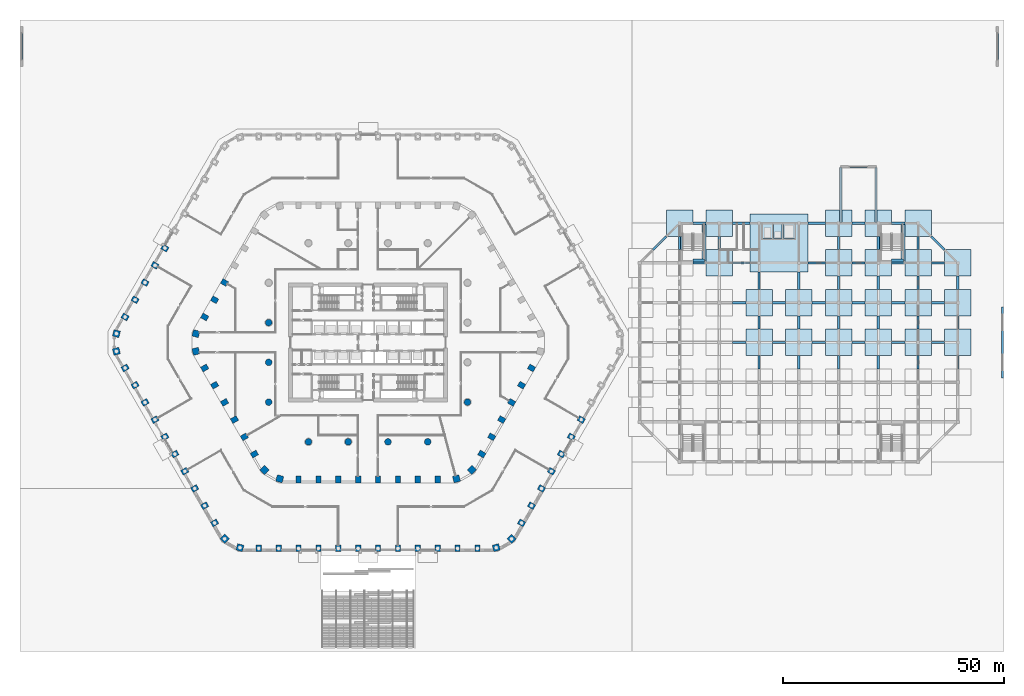
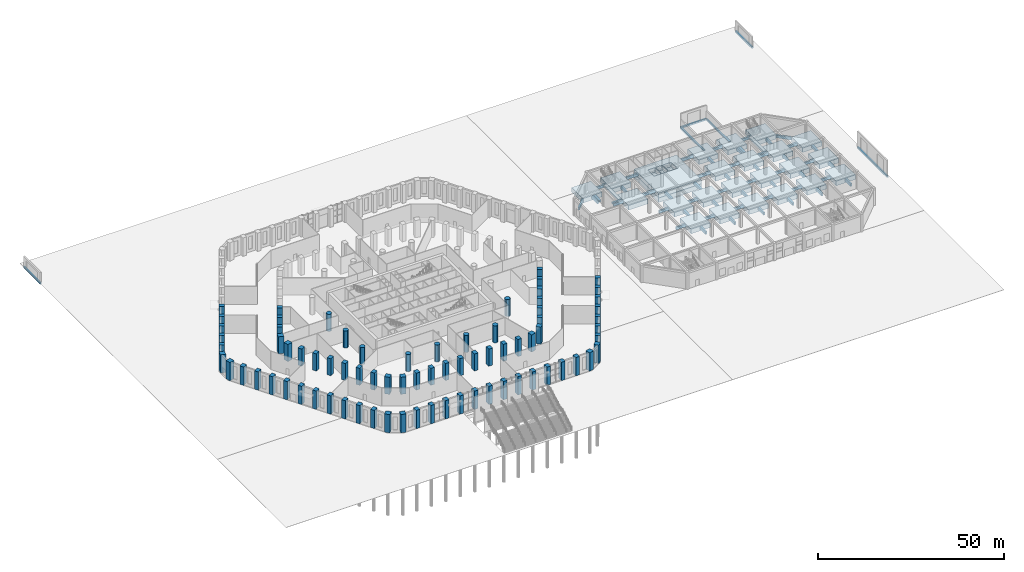
# One storey, part 2 of 44: 84 footings, 77 columns.
"""IFC4 building model written with IfcOpenShell, lengths in metres."""

from ifc_helpers import new_model, si_unit, direction, frame, origin, origin_2d, place, context, subcontext, project, spatial, polyline, rectangle, circle, outline, extrude, material, layer, layer_set, material_profile, profile_set, type_object, element, save


model = new_model("IFC4")

# Units and contexts
model_context = context("Model", 3, precision=1e-05, world=origin(), true_north=direction((0.0, 1.0)))
body_context = subcontext(model_context, "Body", "Model", "MODEL_VIEW")
ifc_project = project(units=[si_unit("LENGTHUNIT", "METRE"), si_unit("AREAUNIT", "SQUARE_METRE"), si_unit("VOLUMEUNIT", "CUBIC_METRE"), si_unit("PLANEANGLEUNIT", "RADIAN"), si_unit("MASSUNIT", "GRAM", prefix="KILO")], contexts=[model_context])

# Site, building, storey
site_placement = place(None, origin())
site = spatial("IfcSite", under=ifc_project, at=site_placement, CompositionType="ELEMENT")
building_placement = place(site_placement, origin())
building = spatial("IfcBuilding", under=site, at=building_placement, Name="Dhurran Vertical Campus", CompositionType="ELEMENT")
storey_placement = place(building_placement, origin())
storey = spatial("IfcBuildingStorey", under=building, at=storey_placement, Name="L00", CompositionType="ELEMENT", Elevation=0.0)

# Footings
ifc_material_1 = material(Name="Concrete C35/45", Category="concrete")
ifc_material_profile_1 = material_profile(ifc_material_1, rectangle(XDim=0.5, YDim=0.89990234375, at=origin_2d()), Name="hl-ground beam 500x900")
ifc_profile_set_1 = profile_set([ifc_material_profile_1], Name="Concrete C35/45")
footing_type_1 = type_object("IfcFootingType", Name="hl-ground beam 500x900", PredefinedType="FOOTING_BEAM", material=ifc_profile_set_1)
for number, where, z_axis, x_axis, name in (
    (1, (70.5, 21.0, -0.72998046875), (0.0, 1.0, 0.0), (-1.0, 0.0, 0.0), "Hall ground beam 021"),
    (2, (73.5, 18.0, -0.72998046875), (1.0, 0.0, 0.0), (0.0, 1.0, 0.0), "Hall ground beam 022"),
):
    element("IfcFooting", number, at=place(storey_placement, frame(where, z_axis=z_axis, x_axis=x_axis)), inside=storey, type_object=footing_type_1, Name=name, PredefinedType="FOOTING_BEAM", context=body_context, shape_type="SweptSolid", body=[
        extrude(rectangle(XDim=0.5, YDim=0.89990234375, at=origin_2d()), origin(), (0.0, 0.0, 1.0), 3.0),
    ])
footing_1_placement = place(storey_placement, frame((67.5, 24.0, -0.72998046875), z_axis=(-0.707106781187, -0.707106781187, 0.0), x_axis=(0.707106781187, -0.707106781187, 0.0)))
element("IfcFooting", 3, at=footing_1_placement, inside=storey, type_object=footing_type_1, Name="Hall ground beam 023", PredefinedType="FOOTING_BEAM", context=body_context, shape_type="SweptSolid", body=[
    extrude(rectangle(XDim=0.5, YDim=0.89990234375, at=origin_2d()), origin(), (0.0, 0.0, 1.0), 4.24267578125),
])
for number, where, z_axis, x_axis, name in (
    (4, (73.5, 27.0, -0.72998046875), (1.0, 0.0, 0.0), (0.0, 1.0, 0.0), "Hall ground beam 024"),
    (5, (82.5, 0.0, -0.72998046875), (1.0, 0.0, 0.0), (0.0, 1.0, 0.0), "Hall ground beam 032"),
    (6, (82.5, 9.0, -0.72998046875), (1.0, 0.0, 0.0), (0.0, 1.0, 0.0), "Hall ground beam 034"),
    (7, (79.5, 21.0, -0.72998046875), (0.0, 1.0, 0.0), (-1.0, 0.0, 0.0), "Hall ground beam 035"),
):
    element("IfcFooting", number, at=place(storey_placement, frame(where, z_axis=z_axis, x_axis=x_axis)), inside=storey, type_object=footing_type_1, Name=name, PredefinedType="FOOTING_BEAM", context=body_context, shape_type="SweptSolid", body=[
        extrude(rectangle(XDim=0.5, YDim=0.89990234375, at=origin_2d()), origin(), (0.0, 0.0, 1.0), 3.0),
    ])
for number, where, z_axis, x_axis, name in (
    (8, (82.5, 18.0, -0.72998046875), (1.0, 0.0, 0.0), (0.0, 1.0, 0.0), "Hall ground beam 036"),
    (9, (82.5, 27.0, -0.72998046875), (1.0, 0.0, 0.0), (0.0, 1.0, 0.0), "Hall ground beam 037"),
):
    element("IfcFooting", number, at=place(storey_placement, frame(where, z_axis=z_axis, x_axis=x_axis)), inside=storey, type_object=footing_type_1, Name=name, PredefinedType="FOOTING_BEAM", context=body_context, shape_type="SweptSolid", body=[
        extrude(rectangle(XDim=0.5, YDim=0.89990234375, at=origin_2d()), origin(), (0.0, 0.0, 1.0), 3.89990234375),
    ])
for number, where, z_axis, x_axis, name in (
    (10, (88.5, -6.0, -0.72998046875), (0.0, 1.0, 0.0), (-1.0, 0.0, 0.0), "Hall ground beam 042"),
    (11, (88.5, 3.0, -0.72998046875), (0.0, 1.0, 0.0), (-1.0, 0.0, 0.0), "Hall ground beam 044"),
    (12, (91.5, 0.0, -0.72998046875), (1.0, 0.0, 0.0), (0.0, 1.0, 0.0), "Hall ground beam 045"),
):
    element("IfcFooting", number, at=place(storey_placement, frame(where, z_axis=z_axis, x_axis=x_axis)), inside=storey, type_object=footing_type_1, Name=name, PredefinedType="FOOTING_BEAM", context=body_context, shape_type="SweptSolid", body=[
        extrude(rectangle(XDim=0.5, YDim=0.89990234375, at=origin_2d()), origin(), (0.0, 0.0, 1.0), 3.0),
    ])
footing_2_placement = place(storey_placement, frame((88.5, 12.0, -0.72998046875), z_axis=(0.0, 1.0, 0.0), x_axis=(-1.0, 0.0, 0.0)))
element("IfcFooting", 13, at=footing_2_placement, inside=storey, type_object=footing_type_1, Name="Hall ground beam 046", PredefinedType="FOOTING_BEAM", context=body_context, shape_type="SweptSolid", body=[
    extrude(rectangle(XDim=0.5, YDim=0.89990234375, at=origin_2d()), origin(), (0.0, 0.0, 1.0), 3.89990234375),
])
for number, where, z_axis, x_axis, name in (
    (14, (91.5, 9.0, -0.72998046875), (1.0, 0.0, 0.0), (0.0, 1.0, 0.0), "Hall ground beam 047"),
    (15, (97.5, -6.0, -0.72998046875), (0.0, 1.0, 0.0), (-1.0, 0.0, 0.0), "Hall ground beam 052"),
    (16, (97.5, 3.0, -0.72998046875), (0.0, 1.0, 0.0), (-1.0, 0.0, 0.0), "Hall ground beam 054"),
    (17, (100.5, 0.0, -0.72998046875), (1.0, 0.0, 0.0), (0.0, 1.0, 0.0), "Hall ground beam 055"),
):
    element("IfcFooting", number, at=place(storey_placement, frame(where, z_axis=z_axis, x_axis=x_axis)), inside=storey, type_object=footing_type_1, Name=name, PredefinedType="FOOTING_BEAM", context=body_context, shape_type="SweptSolid", body=[
        extrude(rectangle(XDim=0.5, YDim=0.89990234375, at=origin_2d()), origin(), (0.0, 0.0, 1.0), 3.0),
    ])
footing_3_placement = place(storey_placement, frame((97.5, 12.0, -0.72998046875), z_axis=(0.0, 1.0, 0.0), x_axis=(-1.0, 0.0, 0.0)))
element("IfcFooting", 18, at=footing_3_placement, inside=storey, type_object=footing_type_1, Name="Hall ground beam 056", PredefinedType="FOOTING_BEAM", context=body_context, shape_type="SweptSolid", body=[
    extrude(rectangle(XDim=0.5, YDim=0.89990234375, at=origin_2d()), origin(), (0.0, 0.0, 1.0), 3.89990234375),
])
footing_4_placement = place(storey_placement, frame((100.5, 9.0, -0.72998046875), z_axis=(1.0, 0.0, 0.0), x_axis=(0.0, 1.0, 0.0)))
element("IfcFooting", 19, at=footing_4_placement, inside=storey, type_object=footing_type_1, Name="Hall ground beam 057", PredefinedType="FOOTING_BEAM", context=body_context, shape_type="SweptSolid", body=[
    extrude(rectangle(XDim=0.5, YDim=0.89990234375, at=origin_2d()), origin(), (0.0, 0.0, 1.0), 3.0),
])
for number, where, z_axis, x_axis, name in (
    (20, (99.60009765625, 18.0, -0.72998046875), (1.0, 0.0, 0.0), (0.0, 1.0, 0.0), "Hall ground beam 058"),
    (21, (99.60009765625, 27.0, -0.72998046875), (1.0, 0.0, 0.0), (0.0, 1.0, 0.0), "Hall ground beam 059"),
):
    element("IfcFooting", number, at=place(storey_placement, frame(where, z_axis=z_axis, x_axis=x_axis)), inside=storey, type_object=footing_type_1, Name=name, PredefinedType="FOOTING_BEAM", context=body_context, shape_type="SweptSolid", body=[
        extrude(rectangle(XDim=0.5, YDim=0.89990234375, at=origin_2d()), origin(), (0.0, 0.0, 1.0), 3.89990234375),
    ])
for number, where, z_axis, x_axis, name in (
    (22, (106.5, -6.0, -0.72998046875), (0.0, 1.0, 0.0), (-1.0, 0.0, 0.0), "Hall ground beam 064"),
    (23, (106.5, 3.0, -0.72998046875), (0.0, 1.0, 0.0), (-1.0, 0.0, 0.0), "Hall ground beam 066"),
    (24, (109.5, 0.0, -0.72998046875), (1.0, 0.0, 0.0), (0.0, 1.0, 0.0), "Hall ground beam 067"),
    (25, (106.5, 12.0, -0.72998046875), (0.0, 1.0, 0.0), (-1.0, 0.0, 0.0), "Hall ground beam 068"),
    (26, (109.5, 9.0, -0.72998046875), (1.0, 0.0, 0.0), (0.0, 1.0, 0.0), "Hall ground beam 069"),
    (27, (106.5, 21.0, -0.72998046875), (0.0, 1.0, 0.0), (-1.0, 0.0, 0.0), "Hall ground beam 070"),
    (28, (109.5, 18.0, -0.72998046875), (1.0, 0.0, 0.0), (0.0, 1.0, 0.0), "Hall ground beam 071"),
    (29, (109.5, 27.0, -0.72998046875), (1.0, 0.0, 0.0), (0.0, 1.0, 0.0), "Hall ground beam 072"),
    (30, (115.5, -6.0, -0.72998046875), (0.0, 1.0, 0.0), (-1.0, 0.0, 0.0), "Hall ground beam 077"),
    (31, (115.5, 3.0, -0.72998046875), (0.0, 1.0, 0.0), (-1.0, 0.0, 0.0), "Hall ground beam 079"),
    (32, (118.5, 0.0, -0.72998046875), (1.0, 0.0, 0.0), (0.0, 1.0, 0.0), "Hall ground beam 080"),
    (33, (115.5, 12.0, -0.72998046875), (0.0, 1.0, 0.0), (-1.0, 0.0, 0.0), "Hall ground beam 081"),
    (34, (118.5, 9.0, -0.72998046875), (1.0, 0.0, 0.0), (0.0, 1.0, 0.0), "Hall ground beam 082"),
    (35, (115.5, 21.0, -0.72998046875), (0.0, 1.0, 0.0), (-1.0, 0.0, 0.0), "Hall ground beam 083"),
    (36, (118.5, 18.0, -0.72998046875), (1.0, 0.0, 0.0), (0.0, 1.0, 0.0), "Hall ground beam 084"),
    (37, (118.5, 27.0, -0.72998046875), (1.0, 0.0, 0.0), (0.0, 1.0, 0.0), "Hall ground beam 085"),
    (38, (124.5, -6.0, -0.72998046875), (0.0, 1.0, 0.0), (-1.0, 0.0, 0.0), "Hall ground beam 090"),
    (39, (124.5, 3.0, -0.72998046875), (0.0, 1.0, 0.0), (-1.0, 0.0, 0.0), "Hall ground beam 092"),
    (40, (127.5, 0.0, -0.72998046875), (1.0, 0.0, 0.0), (0.0, 1.0, 0.0), "Hall ground beam 093"),
    (41, (124.5, 12.0, -0.72998046875), (0.0, 1.0, 0.0), (-1.0, 0.0, 0.0), "Hall ground beam 094"),
    (42, (127.5, 9.0, -0.72998046875), (1.0, 0.0, 0.0), (0.0, 1.0, 0.0), "Hall ground beam 095"),
    (43, (124.5, 21.0, -0.72998046875), (0.0, 1.0, 0.0), (-1.0, 0.0, 0.0), "Hall ground beam 096"),
    (44, (127.5, 18.0, -0.72998046875), (1.0, 0.0, 0.0), (0.0, 1.0, 0.0), "Hall ground beam 097"),
    (45, (133.5, -6.0, -0.72998046875), (0.0, 1.0, 0.0), (-1.0, 0.0, 0.0), "Hall ground beam 099"),
    (46, (133.5, 3.0, -0.72998046875), (0.0, 1.0, 0.0), (-1.0, 0.0, 0.0), "Hall ground beam 100"),
    (47, (133.5, 12.0, -0.72998046875), (0.0, 1.0, 0.0), (-1.0, 0.0, 0.0), "Hall ground beam 101"),
):
    element("IfcFooting", number, at=place(storey_placement, frame(where, z_axis=z_axis, x_axis=x_axis)), inside=storey, type_object=footing_type_1, Name=name, PredefinedType="FOOTING_BEAM", context=body_context, shape_type="SweptSolid", body=[
        extrude(rectangle(XDim=0.5, YDim=0.89990234375, at=origin_2d()), origin(), (0.0, 0.0, 1.0), 3.0),
    ])
footing_5_placement = place(storey_placement, frame((130.5, 21.0, -0.72998046875), z_axis=(-0.707106781187, 0.707106781187, 0.0), x_axis=(-0.707106781187, -0.707106781187, 0.0)))
element("IfcFooting", 48, at=footing_5_placement, inside=storey, type_object=footing_type_1, Name="Hall ground beam 102", PredefinedType="FOOTING_BEAM", context=body_context, shape_type="SweptSolid", body=[
    extrude(rectangle(XDim=0.5, YDim=0.89990234375, at=origin_2d()), origin(), (0.0, 0.0, 1.0), 4.24267578125),
])
ifc_material_2 = material(Name="Concrete C35/45", Category="concrete")
ifc_layer_1 = layer(ifc_material_2, 1.5)
ifc_layer_set_1 = layer_set([ifc_layer_1], Name="Concrete C35/45")
footing_type_2 = type_object("IfcFootingType", Name="hl-lift core raft 1500", PredefinedType="PAD_FOOTING", material=ifc_layer_set_1)
footing_6_placement = place(storey_placement, frame((0.0, 0.0, -3.280029296875)))
element("IfcFooting", 49, at=footing_6_placement, inside=storey, type_object=footing_type_2, Name="Hall lift core raft", PredefinedType="PAD_FOOTING", context=body_context, shape_type="SweptSolid", body=[
    extrude(outline(polyline([(86.39990234375, 15.89990234375), (99.60009765625, 15.89990234375), (99.60009765625, 29.10009765625), (86.39990234375, 29.10009765625), (86.39990234375, 15.89990234375)])), origin(), (0.0, 0.0, 1.0), 1.5),
])
ifc_material_3 = material(Name="Concrete C35/45", Category="concrete")
ifc_layer_2 = layer(ifc_material_3, 1.5)
ifc_layer_set_2 = layer_set([ifc_layer_2], Name="Concrete C35/45")
footing_type_3 = type_object("IfcFootingType", Name="hl-lift core raft upstand 1500", PredefinedType="PAD_FOOTING", material=ifc_layer_set_2)
footing_7_placement = place(storey_placement, frame((0.0, 0.0, -1.780029296875)))
element("IfcFooting", 50, at=footing_7_placement, inside=storey, type_object=footing_type_3, Name="Hall lift core raft upstand", PredefinedType="PAD_FOOTING", context=body_context, shape_type="SweptSolid", body=[
    extrude(outline(polyline([(86.39990234375, 15.89990234375), (99.60009765625, 15.89990234375), (99.60009765625, 29.10009765625), (86.39990234375, 29.10009765625), (86.39990234375, 15.89990234375)]), holes=[polyline([(89.300048828125, 23.5), (91.5, 23.5), (91.5, 26.85009765625), (89.300048828125, 26.85009765625), (89.300048828125, 23.5)]), polyline([(91.75, 23.5), (93.75, 23.5), (93.75, 26.85009765625), (91.75, 26.85009765625), (91.75, 23.5)]), polyline([(94.0, 23.5), (96.60009765625, 23.5), (96.60009765625, 26.85009765625), (94.0, 26.85009765625), (94.0, 23.5)])]), origin(), (0.0, 0.0, 1.0), 1.5),
])
ifc_material_4 = material(Name="Concrete C35/45", Category="concrete")
footing_type_4 = type_object("IfcFootingType", Name="hl-pad footing 6000x6000x1500", PredefinedType="PAD_FOOTING", material=ifc_material_4)
for number, where, z_axis, x_axis, name in (
    (51, (88.5, 0.0, -1.780029296875), (0.0, 0.0, 1.0), (1.0, 0.0, 0.0), "Hall pad footing HD4"),
    (52, (97.5, 0.0, -1.780029296875), (0.0, 0.0, 1.0), (1.0, 0.0, 0.0), "Hall pad footing HE4"),
    (53, (106.5, 0.0, -1.780029296875), (0.0, 0.0, 1.0), (1.0, 0.0, 0.0), "Hall pad footing HF4"),
    (54, (115.5, 0.0, -1.780029296875), (0.0, 0.0, 1.0), (1.0, 0.0, 0.0), "Hall pad footing HG4"),
    (55, (124.5, 0.0, -1.780029296875), (0.0, 0.0, 1.0), (1.0, 0.0, 0.0), "Hall pad footing HH4"),
    (56, (133.5, 0.0, -1.780029296875), (0.0, 0.0, 1.0), (1.0, 0.0, 0.0), "Hall pad footing HJ4"),
    (57, (88.5, 9.0, -1.780029296875), (0.0, 0.0, 1.0), (1.0, 0.0, 0.0), "Hall pad footing HD5"),
    (58, (97.5, 9.0, -1.780029296875), (0.0, 0.0, 1.0), (1.0, 0.0, 0.0), "Hall pad footing HE5"),
    (59, (106.5, 9.0, -1.780029296875), (0.0, 0.0, 1.0), (1.0, 0.0, 0.0), "Hall pad footing HF5"),
    (60, (115.5, 9.0, -1.780029296875), (0.0, 0.0, 1.0), (1.0, 0.0, 0.0), "Hall pad footing HG5"),
    (61, (124.5, 9.0, -1.780029296875), (0.0, 0.0, 1.0), (1.0, 0.0, 0.0), "Hall pad footing HH5"),
    (62, (133.5, 9.0, -1.780029296875), (0.0, 0.0, 1.0), (1.0, 0.0, 0.0), "Hall pad footing HJ5"),
    (63, (79.5, 18.0, -1.780029296875), (0.0, 0.0, 1.0), (1.0, 0.0, 0.0), "Hall pad footing HC6"),
    (64, (106.5, 18.0, -1.780029296875), (0.0, 0.0, 1.0), (1.0, 0.0, 0.0), "Hall pad footing HF6"),
    (65, (115.5, 18.0, -1.780029296875), (0.0, 0.0, 1.0), (1.0, 0.0, 0.0), "Hall pad footing HG6"),
    (66, (124.5, 18.0, -1.780029296875), (0.0, 0.0, 1.0), (1.0, 0.0, 0.0), "Hall pad footing HH6"),
    (67, (133.5, 18.0, -1.780029296875), (0.0, 0.0, 1.0), (1.0, 0.0, 0.0), "Hall pad footing HJ6"),
    (68, (70.5, 27.0, -1.780029296875), (0.0, 0.0, 1.0), (1.0, 0.0, 0.0), "Hall pad footing HB7"),
    (69, (79.5, 27.0, -1.780029296875), (0.0, 0.0, 1.0), (1.0, 0.0, 0.0), "Hall pad footing HC7"),
    (70, (106.5, 27.0, -1.780029296875), (0.0, 0.0, 1.0), (1.0, 0.0, 0.0), "Hall pad footing HF7"),
    (71, (115.5, 27.0, -1.780029296875), (0.0, 0.0, 1.0), (1.0, 0.0, 0.0), "Hall pad footing HG7"),
    (72, (124.5, 27.0, -1.780029296875), (0.0, 0.0, 1.0), (1.0, 0.0, 0.0), "Hall pad footing HH7"),
):
    element("IfcFooting", number, at=place(storey_placement, frame(where, z_axis=z_axis, x_axis=x_axis)), inside=storey, type_object=footing_type_4, Name=name, PredefinedType="PAD_FOOTING", context=body_context, shape_type="SweptSolid", body=[
        extrude(rectangle(XDim=6.0, YDim=6.0, at=origin_2d()), origin(), (0.0, 0.0, 1.0), 1.5),
    ])
ifc_material_5 = material(Name="Concrete C35/45", Category="concrete")
footing_type_5 = type_object("IfcFootingType", Name="hl-stair shaft strip footing 900x600", PredefinedType="STRIP_FOOTING", material=ifc_material_5)
footing_8_placement = place(storey_placement, frame((0.0, 0.0, -0.8798828125)))
element("IfcFooting", 73, at=footing_8_placement, inside=storey, type_object=footing_type_5, Name="Stair shaft footing HST3 W 07", PredefinedType="STRIP_FOOTING", context=body_context, shape_type="SweptSolid", body=[
    extrude(outline(polyline([(71.449951171875, 21.0), (70.75, 21.0), (70.75, 24.0), (71.449951171875, 24.0), (71.449951171875, 21.0)])), origin(), (0.0, 0.0, 1.0), 0.599853515625),
])
footing_9_placement = place(storey_placement, frame((0.0, 0.0, -0.8798828125)))
element("IfcFooting", 74, at=footing_9_placement, inside=storey, type_object=footing_type_5, Name="Stair shaft footing HST3 E 08", PredefinedType="STRIP_FOOTING", context=body_context, shape_type="SweptSolid", body=[
    extrude(outline(polyline([(75.60009765625, 18.550048828125), (75.60009765625, 26.75), (76.5, 26.75), (76.5, 24.0), (76.5, 24.0), (76.5, 21.0), (76.5, 21.0), (76.5, 18.550048828125), (75.60009765625, 18.550048828125)])), origin(), (0.0, 0.0, 1.0), 0.599853515625),
])
footing_10_placement = place(storey_placement, frame((0.0, 0.0, -0.8798828125)))
element("IfcFooting", 75, at=footing_10_placement, inside=storey, type_object=footing_type_5, Name="Stair shaft footing HST3 F 09", PredefinedType="STRIP_FOOTING", context=body_context, shape_type="SweptSolid", body=[
    extrude(outline(polyline([(76.199951171875, 18.25), (73.5, 18.25), (73.5, 18.85009765625), (76.199951171875, 18.85009765625), (76.199951171875, 18.25)])), origin(), (0.0, 0.0, 1.0), 0.599853515625),
])
footing_11_placement = place(storey_placement, frame((0.0, 0.0, -0.8798828125)))
element("IfcFooting", 76, at=footing_11_placement, inside=storey, type_object=footing_type_5, Name="Stair shaft footing HST2 W 10", PredefinedType="STRIP_FOOTING", context=body_context, shape_type="SweptSolid", body=[
    extrude(outline(polyline([(116.449951171875, 21.0), (115.75, 21.0), (115.75, 24.0), (116.449951171875, 24.0), (116.449951171875, 21.0)])), origin(), (0.0, 0.0, 1.0), 0.599853515625),
])
footing_12_placement = place(storey_placement, frame((0.0, 0.0, -0.8798828125)))
element("IfcFooting", 77, at=footing_12_placement, inside=storey, type_object=footing_type_5, Name="Stair shaft footing HST2 E 11", PredefinedType="STRIP_FOOTING", context=body_context, shape_type="SweptSolid", body=[
    extrude(outline(polyline([(120.60009765625, 18.550048828125), (120.60009765625, 26.75), (121.5, 26.75), (121.5, 24.0), (121.5, 24.0), (121.5, 21.0), (121.5, 21.0), (121.5, 18.550048828125), (120.60009765625, 18.550048828125)])), origin(), (0.0, 0.0, 1.0), 0.599853515625),
])
footing_13_placement = place(storey_placement, frame((0.0, 0.0, -0.8798828125)))
element("IfcFooting", 78, at=footing_13_placement, inside=storey, type_object=footing_type_5, Name="Stair shaft footing HST2 F 12", PredefinedType="STRIP_FOOTING", context=body_context, shape_type="SweptSolid", body=[
    extrude(outline(polyline([(121.199951171875, 18.25), (118.5, 18.25), (118.5, 18.85009765625), (121.199951171875, 18.85009765625), (121.199951171875, 18.25)])), origin(), (0.0, 0.0, 1.0), 0.599853515625),
])
ifc_material_6 = material(Name="Concrete C35/45", Category="concrete")
ifc_material_profile_2 = material_profile(ifc_material_6, rectangle(XDim=0.5, YDim=0.5, at=origin_2d()), Name="st-strip footing 500x500")
ifc_profile_set_2 = profile_set([ifc_material_profile_2], Name="Concrete C35/45")
footing_type_6 = type_object("IfcFootingType", Name="st-strip footing 500x500", PredefinedType="STRIP_FOOTING", material=ifc_profile_set_2)
for number, where, z_axis, x_axis, name in (
    (79, (-78.39990234375, 62.5, -0.35009765625), (0.0, 1.0, 0.0), (-1.0, 0.0, 0.0), "Car park gate wall 1 footing"),
    (80, (142.39990234375, 62.5, -0.35009765625), (0.0, 1.0, 0.0), (-1.0, 0.0, 0.0), "Car park gate wall 2 footing"),
):
    element("IfcFooting", number, at=place(storey_placement, frame(where, z_axis=z_axis, x_axis=x_axis)), inside=storey, type_object=footing_type_6, Name=name, PredefinedType="STRIP_FOOTING", context=body_context, shape_type="SweptSolid", body=[
        extrude(rectangle(XDim=0.5, YDim=0.5, at=origin_2d()), origin(), (0.0, 0.0, 1.0), 9.0),
    ])
footing_14_placement = place(storey_placement, frame((143.60009765625, -8.0, -0.35009765625), z_axis=(0.0, 1.0, 0.0), x_axis=(-1.0, 0.0, 0.0)))
element("IfcFooting", 81, at=footing_14_placement, inside=storey, type_object=footing_type_6, Name="Loading court gate wall footing", PredefinedType="STRIP_FOOTING", context=body_context, shape_type="SweptSolid", body=[
    extrude(rectangle(XDim=0.5, YDim=0.5, at=origin_2d()), origin(), (0.0, 0.0, 1.0), 16.0),
])
footing_15_placement = place(storey_placement, frame((107.0, 39.800048828125, -0.35009765625), z_axis=(1.0, 0.0, 0.0), x_axis=(0.0, 1.0, 0.0)))
element("IfcFooting", 82, at=footing_15_placement, inside=storey, type_object=footing_type_6, Name="Refuse yard gate wall footing", PredefinedType="STRIP_FOOTING", context=body_context, shape_type="SweptSolid", body=[
    extrude(rectangle(XDim=0.5, YDim=0.5, at=origin_2d()), origin(), (0.0, 0.0, 1.0), 8.0),
])
for number, where, z_axis, x_axis, name in (
    (83, (107.0, 27.199951171875, -0.35009765625), (0.0, 1.0, 0.0), (-1.0, 0.0, 0.0), "Refuse yard wall W footing"),
    (84, (115.0, 27.199951171875, -0.35009765625), (0.0, 1.0, 0.0), (-1.0, 0.0, 0.0), "Refuse yard wall E footing"),
):
    element("IfcFooting", number, at=place(storey_placement, frame(where, z_axis=z_axis, x_axis=x_axis)), inside=storey, type_object=footing_type_6, Name=name, PredefinedType="STRIP_FOOTING", context=body_context, shape_type="SweptSolid", body=[
        extrude(rectangle(XDim=0.5, YDim=0.5, at=origin_2d()), origin(), (0.0, 0.0, 1.0), 12.400146484375),
    ])

# Columns
ifc_material_7 = material(Name="Concrete C70/85", Category="concrete")
ifc_material_profile_3 = material_profile(ifc_material_7, rectangle(XDim=1.199951171875, YDim=1.5, at=origin_2d()), Name="RC 1200x1500")
ifc_profile_set_3 = profile_set([ifc_material_profile_3], Name="Concrete C70/85")
column_type_1 = type_object("IfcColumnType", Name="FR COL RC 1200x1500 C70/85", PredefinedType="COLUMN", material=ifc_profile_set_3)
for number, where, z_axis, x_axis, name in (
    (85, (-24.75, -46.618408203125, 0.0), (0.0, 0.0, 1.0), (1.0, 0.0, 0.0), "Perimeter pier PO0.01"),
    (86, (-20.25, -46.618408203125, 0.0), (0.0, 0.0, 1.0), (1.0, 0.0, 0.0), "Perimeter pier PO0.02"),
    (87, (-15.75, -46.618408203125, 0.0), (0.0, 0.0, 1.0), (1.0, 0.0, 0.0), "Perimeter pier PO0.03"),
    (88, (-11.25, -46.618408203125, 0.0), (0.0, 0.0, 1.0), (1.0, 0.0, 0.0), "Perimeter pier PO0.04"),
    (89, (-6.75, -46.618408203125, 0.0), (0.0, 0.0, 1.0), (1.0, 0.0, 0.0), "Perimeter pier PO0.05"),
    (90, (-2.25, -46.618408203125, 0.0), (0.0, 0.0, 1.0), (1.0, 0.0, 0.0), "Perimeter pier PO0.06"),
    (91, (2.25, -46.618408203125, 0.0), (0.0, 0.0, 1.0), (1.0, 0.0, 0.0), "Perimeter pier PO0.07"),
    (92, (6.75, -46.618408203125, 0.0), (0.0, 0.0, 1.0), (1.0, 0.0, 0.0), "Perimeter pier PO0.08"),
    (93, (11.25, -46.618408203125, 0.0), (0.0, 0.0, 1.0), (1.0, 0.0, 0.0), "Perimeter pier PO0.09"),
    (94, (15.75, -46.618408203125, 0.0), (0.0, 0.0, 1.0), (1.0, 0.0, 0.0), "Perimeter pier PO0.10"),
    (95, (20.25, -46.618408203125, 0.0), (0.0, 0.0, 1.0), (1.0, 0.0, 0.0), "Perimeter pier PO0.11"),
    (96, (24.75, -46.618408203125, 0.0), (0.0, 0.0, 1.0), (1.0, 0.0, 0.0), "Perimeter pier PO0.12"),
    (97, (34.74755859375, -40.84619140625, 0.0), (0.0, 0.0, 1.0), (0.5, 0.866025403784, 0.0), "Perimeter pier PO0.15"),
    (98, (36.99755859375, -36.948974609375, 0.0), (0.0, 0.0, 1.0), (0.5, 0.866025403784, 0.0), "Perimeter pier PO0.16"),
    (99, (39.24755859375, -33.052001953125, 0.0), (0.0, 0.0, 1.0), (0.5, 0.866025403784, 0.0), "Perimeter pier PO0.17"),
    (100, (41.49755859375, -29.15478515625, 0.0), (0.0, 0.0, 1.0), (0.5, 0.866025403784, 0.0), "Perimeter pier PO0.18"),
    (101, (43.74755859375, -25.2578125, 0.0), (0.0, 0.0, 1.0), (0.5, 0.866025403784, 0.0), "Perimeter pier PO0.19"),
    (102, (45.99755859375, -21.360595703125, 0.0), (0.0, 0.0, 1.0), (0.5, 0.866025403784, 0.0), "Perimeter pier PO0.20"),
    (103, (48.24755859375, -17.46337890625, 0.0), (0.0, 0.0, 1.0), (0.5, 0.866025403784, 0.0), "Perimeter pier PO0.21"),
    (104, (-45.99755859375, 21.360595703125, 0.0), (0.0, 0.0, 1.0), (-0.5, -0.866025403784, 0.0), "Perimeter pier PO0.58"),
    (105, (-48.24755859375, 17.46337890625, 0.0), (0.0, 0.0, 1.0), (-0.5, -0.866025403784, 0.0), "Perimeter pier PO0.59"),
    (106, (-50.49755859375, 13.56640625, 0.0), (0.0, 0.0, 1.0), (-0.5, -0.866025403784, 0.0), "Perimeter pier PO0.60"),
    (107, (-52.74755859375, 9.669189453125, 0.0), (0.0, 0.0, 1.0), (-0.5, -0.866025403784, 0.0), "Perimeter pier PO0.61"),
    (108, (-54.99755859375, 5.772216796875, 0.0), (0.0, 0.0, 1.0), (-0.5, -0.866025403784, 0.0), "Perimeter pier PO0.62"),
    (109, (-54.99755859375, -5.772216796875, 0.0), (0.0, 0.0, 1.0), (0.5, -0.866025403784, 0.0), "Perimeter pier PO0.65"),
    (110, (-52.74755859375, -9.669189453125, 0.0), (0.0, 0.0, 1.0), (0.5, -0.866025403784, 0.0), "Perimeter pier PO0.66"),
    (111, (-50.49755859375, -13.56640625, 0.0), (0.0, 0.0, 1.0), (0.5, -0.866025403784, 0.0), "Perimeter pier PO0.67"),
    (112, (-48.24755859375, -17.46337890625, 0.0), (0.0, 0.0, 1.0), (0.5, -0.866025403784, 0.0), "Perimeter pier PO0.68"),
    (113, (-45.99755859375, -21.360595703125, 0.0), (0.0, 0.0, 1.0), (0.5, -0.866025403784, 0.0), "Perimeter pier PO0.69"),
    (114, (-43.74755859375, -25.2578125, 0.0), (0.0, 0.0, 1.0), (0.5, -0.866025403784, 0.0), "Perimeter pier PO0.70"),
    (115, (-41.49755859375, -29.15478515625, 0.0), (0.0, 0.0, 1.0), (0.5, -0.866025403784, 0.0), "Perimeter pier PO0.71"),
    (116, (-39.24755859375, -33.052001953125, 0.0), (0.0, 0.0, 1.0), (0.5, -0.866025403784, 0.0), "Perimeter pier PO0.72"),
    (117, (-36.99755859375, -36.948974609375, 0.0), (0.0, 0.0, 1.0), (0.5, -0.866025403784, 0.0), "Perimeter pier PO0.73"),
    (118, (-34.74755859375, -40.84619140625, 0.0), (0.0, 0.0, 1.0), (0.5, -0.866025403784, 0.0), "Perimeter pier PO0.74"),
):
    element("IfcColumn", number, at=place(storey_placement, frame(where, z_axis=z_axis, x_axis=x_axis)), inside=storey, type_object=column_type_1, Name=name, PredefinedType="COLUMN", context=body_context, shape_type="SweptSolid", body=[
        extrude(rectangle(XDim=1.199951171875, YDim=1.5, at=origin_2d()), origin(), (0.0, 0.0, 1.0), 6.0),
    ])
for number, where, z_axis, x_axis, name in (
    (119, (-15.75, -31.02978515625, 0.0), (0.0, 0.0, 1.0), (1.0, 0.0, 0.0), "Perimeter pier PP0.01"),
    (120, (-11.25, -31.02978515625, 0.0), (0.0, 0.0, 1.0), (1.0, 0.0, 0.0), "Perimeter pier PP0.02"),
    (121, (-6.75, -31.02978515625, 0.0), (0.0, 0.0, 1.0), (1.0, 0.0, 0.0), "Perimeter pier PP0.03"),
    (122, (-2.25, -31.02978515625, 0.0), (0.0, 0.0, 1.0), (1.0, 0.0, 0.0), "Perimeter pier PP0.04"),
    (123, (2.25, -31.02978515625, 0.0), (0.0, 0.0, 1.0), (1.0, 0.0, 0.0), "Perimeter pier PP0.05"),
    (124, (6.75, -31.02978515625, 0.0), (0.0, 0.0, 1.0), (1.0, 0.0, 0.0), "Perimeter pier PP0.06"),
    (125, (11.25, -31.02978515625, 0.0), (0.0, 0.0, 1.0), (1.0, 0.0, 0.0), "Perimeter pier PP0.07"),
    (126, (15.75, -31.02978515625, 0.0), (0.0, 0.0, 1.0), (1.0, 0.0, 0.0), "Perimeter pier PP0.08"),
    (127, (25.74755859375, -25.2578125, 0.0), (0.0, 0.0, 1.0), (0.5, 0.866025403784, 0.0), "Perimeter pier PP0.11"),
    (128, (27.99755859375, -21.360595703125, 0.0), (0.0, 0.0, 1.0), (0.5, 0.866025403784, 0.0), "Perimeter pier PP0.12"),
    (129, (30.24755859375, -17.46337890625, 0.0), (0.0, 0.0, 1.0), (0.5, 0.866025403784, 0.0), "Perimeter pier PP0.13"),
    (130, (32.49755859375, -13.56640625, 0.0), (0.0, 0.0, 1.0), (0.5, 0.866025403784, 0.0), "Perimeter pier PP0.14"),
    (131, (34.74755859375, -9.669189453125, 0.0), (0.0, 0.0, 1.0), (0.5, 0.866025403784, 0.0), "Perimeter pier PP0.15"),
    (132, (36.99755859375, -5.772216796875, 0.0), (0.0, 0.0, 1.0), (0.5, 0.866025403784, 0.0), "Perimeter pier PP0.16"),
    (133, (-32.49755859375, 13.56640625, 0.0), (0.0, 0.0, 1.0), (-0.5, -0.866025403784, 0.0), "Perimeter pier PP0.40"),
    (134, (-34.74755859375, 9.669189453125, 0.0), (0.0, 0.0, 1.0), (-0.5, -0.866025403784, 0.0), "Perimeter pier PP0.41"),
    (135, (-36.99755859375, 5.772216796875, 0.0), (0.0, 0.0, 1.0), (-0.5, -0.866025403784, 0.0), "Perimeter pier PP0.42"),
    (136, (-36.99755859375, -5.772216796875, 0.0), (0.0, 0.0, 1.0), (0.5, -0.866025403784, 0.0), "Perimeter pier PP0.45"),
    (137, (-34.74755859375, -9.669189453125, 0.0), (0.0, 0.0, 1.0), (0.5, -0.866025403784, 0.0), "Perimeter pier PP0.46"),
    (138, (-32.49755859375, -13.56640625, 0.0), (0.0, 0.0, 1.0), (0.5, -0.866025403784, 0.0), "Perimeter pier PP0.47"),
    (139, (-30.24755859375, -17.46337890625, 0.0), (0.0, 0.0, 1.0), (0.5, -0.866025403784, 0.0), "Perimeter pier PP0.48"),
    (140, (-27.99755859375, -21.360595703125, 0.0), (0.0, 0.0, 1.0), (0.5, -0.866025403784, 0.0), "Perimeter pier PP0.49"),
    (141, (-25.74755859375, -25.2578125, 0.0), (0.0, 0.0, 1.0), (0.5, -0.866025403784, 0.0), "Perimeter pier PP0.50"),
):
    element("IfcColumn", number, at=place(storey_placement, frame(where, z_axis=z_axis, x_axis=x_axis)), inside=storey, type_object=column_type_1, Name=name, PredefinedType="COLUMN", context=body_context, shape_type="SweptSolid", body=[
        extrude(rectangle(XDim=1.199951171875, YDim=1.5, at=origin_2d()), origin(), (0.0, 0.0, 1.0), 5.60009765625),
    ])
ifc_material_8 = material(Name="Concrete C70/85", Category="concrete")
ifc_material_profile_4 = material_profile(ifc_material_8, rectangle(XDim=1.5, YDim=1.5, at=origin_2d()), Name="RC 1500x1500")
ifc_profile_set_4 = profile_set([ifc_material_profile_4], Name="Concrete C70/85")
column_type_2 = type_object("IfcColumnType", Name="FR COL RC 1500x1500 C70/85", PredefinedType="COLUMN", material=ifc_profile_set_4)
for number, where, z_axis, x_axis, name in (
    (142, (-29.00390625, -46.44970703125, 0.0), (0.0, 0.0, 1.0), (0.965925826289, -0.258819045103, 0.0), "Perimeter pier PO0.00"),
    (143, (29.00390625, -46.44970703125, 0.0), (0.0, 0.0, 1.0), (0.965925826289, 0.258819045103, 0.0), "Perimeter pier PO0.13"),
    (144, (32.474609375, -44.44580078125, 0.0), (0.0, 0.0, 1.0), (0.707106781187, 0.707106781187, 0.0), "Perimeter pier PO0.14"),
    (145, (-56.978515625, 2.00390625, 0.0), (0.0, 0.0, 1.0), (-0.258819045103, -0.965925826289, 0.0), "Perimeter pier PO0.63"),
    (146, (-56.978515625, -2.00390625, 0.0), (0.0, 0.0, 1.0), (0.258819045103, -0.965925826289, 0.0), "Perimeter pier PO0.64"),
    (147, (-32.474609375, -44.44580078125, 0.0), (0.0, 0.0, 1.0), (0.707106781187, -0.707106781187, 0.0), "Perimeter pier PO0.75"),
):
    element("IfcColumn", number, at=place(storey_placement, frame(where, z_axis=z_axis, x_axis=x_axis)), inside=storey, type_object=column_type_2, Name=name, PredefinedType="COLUMN", context=body_context, shape_type="SweptSolid", body=[
        extrude(rectangle(XDim=1.5, YDim=1.5, at=origin_2d()), origin(), (0.0, 0.0, 1.0), 6.0),
    ])
for number, where, z_axis, x_axis, name in (
    (148, (-20.00390625, -30.861083984375, 0.0), (0.0, 0.0, 1.0), (0.965925826289, -0.258819045103, 0.0), "Perimeter pier PP0.00"),
    (149, (20.00390625, -30.861083984375, 0.0), (0.0, 0.0, 1.0), (0.965925826289, 0.258819045103, 0.0), "Perimeter pier PP0.09"),
    (150, (23.474609375, -28.857421875, 0.0), (0.0, 0.0, 1.0), (0.707106781187, 0.707106781187, 0.0), "Perimeter pier PP0.10"),
    (151, (-38.978515625, 2.00390625, 0.0), (0.0, 0.0, 1.0), (-0.258819045103, -0.965925826289, 0.0), "Perimeter pier PP0.43"),
    (152, (-38.978515625, -2.00390625, 0.0), (0.0, 0.0, 1.0), (0.258819045103, -0.965925826289, 0.0), "Perimeter pier PP0.44"),
    (153, (-23.474609375, -28.857421875, 0.0), (0.0, 0.0, 1.0), (0.707106781187, -0.707106781187, 0.0), "Perimeter pier PP0.51"),
):
    element("IfcColumn", number, at=place(storey_placement, frame(where, z_axis=z_axis, x_axis=x_axis)), inside=storey, type_object=column_type_2, Name=name, PredefinedType="COLUMN", context=body_context, shape_type="SweptSolid", body=[
        extrude(rectangle(XDim=1.5, YDim=1.5, at=origin_2d()), origin(), (0.0, 0.0, 1.0), 5.60009765625),
    ])
ifc_material_9 = material(Name="Concrete C70/85", Category="concrete")
ifc_material_profile_5 = material_profile(ifc_material_9, circle(Radius=0.75, at=origin_2d()), Name="RCC D1500")
ifc_profile_set_5 = profile_set([ifc_material_profile_5], Name="Concrete C70/85")
column_type_3 = type_object("IfcColumnType", Name="FR COL RCC D1500 C70/85", PredefinedType="COLUMN", material=ifc_profile_set_5)
for number, where, z_axis, x_axis, name in (
    (154, (-22.5, -13.5, 0.0), (0.0, 0.0, 1.0), (1.0, 0.0, 0.0), "Inner column IC0-D4"),
    (155, (-22.5, -4.5, 0.0), (0.0, 0.0, 1.0), (1.0, 0.0, 0.0), "Inner column IC0-D5"),
    (156, (-22.5, 4.5, 0.0), (0.0, 0.0, 1.0), (1.0, 0.0, 0.0), "Inner column IC0-D6"),
    (157, (-13.5, -22.5, 0.0), (0.0, 0.0, 1.0), (1.0, 0.0, 0.0), "Inner column IC0-E3"),
    (158, (-4.5, -22.5, 0.0), (0.0, 0.0, 1.0), (1.0, 0.0, 0.0), "Inner column IC0-F3"),
    (159, (4.5, -22.5, 0.0), (0.0, 0.0, 1.0), (1.0, 0.0, 0.0), "Inner column IC0-G3"),
    (160, (13.5, -22.5, 0.0), (0.0, 0.0, 1.0), (1.0, 0.0, 0.0), "Inner column IC0-H3"),
    (161, (22.5, -13.5, 0.0), (0.0, 0.0, 1.0), (1.0, 0.0, 0.0), "Inner column IC0-J4"),
):
    element("IfcColumn", number, at=place(storey_placement, frame(where, z_axis=z_axis, x_axis=x_axis)), inside=storey, type_object=column_type_3, Name=name, PredefinedType="COLUMN", context=body_context, shape_type="SweptSolid", body=[
        extrude(circle(Radius=0.75, at=origin_2d()), origin(), (0.0, 0.0, 1.0), 5.60009765625),
    ])

save(model, "model.ifc")
